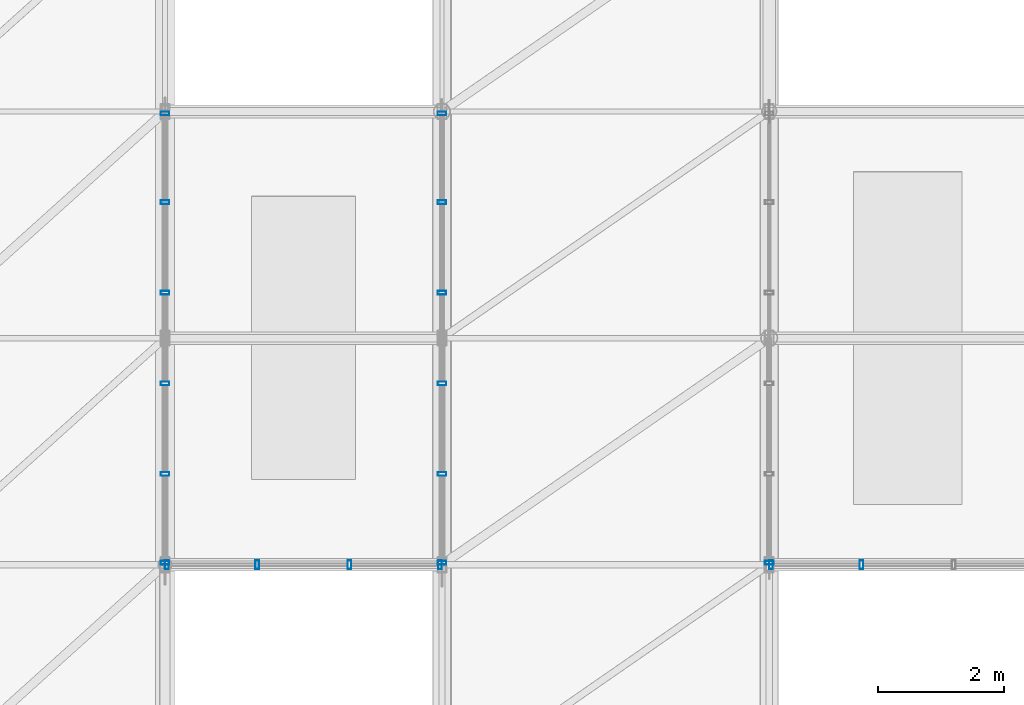
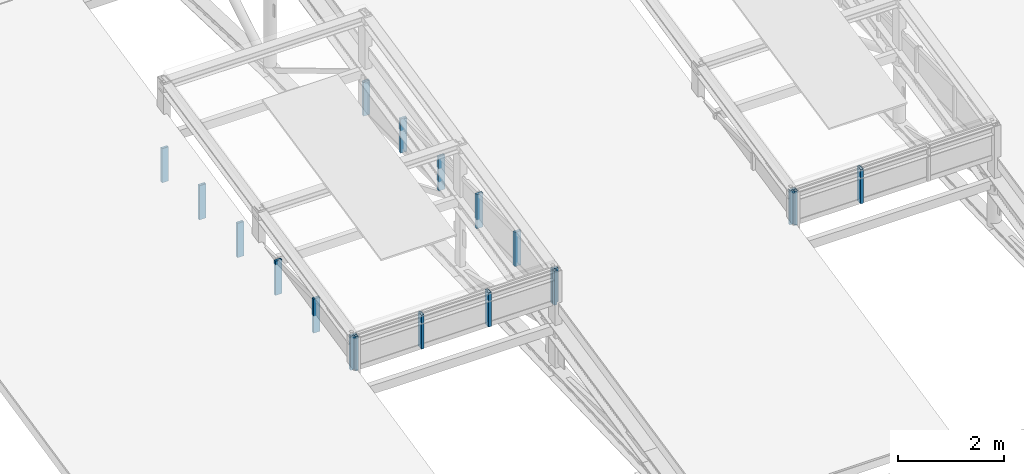
# One storey, part 71 of 124: 19 members, 5 elements without a shape of their own.
"""IFC4 building model written with IfcOpenShell, lengths in metres."""

from ifc_helpers import new_model, si_unit, direction, frame, origin, origin_2d, place, context, subcontext, project, spatial, hollow_rectangle, extrude, material, layer, layer_set, material_profile, profile_set, type_object, element, aggregate, save


model = new_model("IFC4")

# Units and contexts
model_context = context("Model", 3, precision=1e-05, world=origin(), true_north=direction((0.0, 1.0)))
body_context = subcontext(model_context, "Body", "Model", "MODEL_VIEW")
ifc_project = project(units=[si_unit("LENGTHUNIT", "METRE"), si_unit("AREAUNIT", "SQUARE_METRE"), si_unit("VOLUMEUNIT", "CUBIC_METRE"), si_unit("PLANEANGLEUNIT", "RADIAN"), si_unit("MASSUNIT", "GRAM", prefix="KILO"), si_unit("THERMODYNAMICTEMPERATUREUNIT", "KELVIN"), si_unit("POWERUNIT", "WATT")], contexts=[model_context])

# Site, building, storey
site_placement = place(None, origin())
site = spatial("IfcSite", under=ifc_project, at=site_placement, CompositionType="ELEMENT")
building_placement = place(site_placement, origin())
building = spatial("IfcBuilding", under=site, at=building_placement, Name="Tavuni Mirador Residences", CompositionType="ELEMENT")
storey_placement = place(building_placement, frame((0.0, 0.0, 7.64990234375)))
storey = spatial("IfcBuildingStorey", under=building, at=storey_placement, Name="L02", CompositionType="ELEMENT", Elevation=7.64990234375)

# Curtain wall, members
ifc_material = material(Name="Anodised aluminium", Category="aluminium")
ifc_layer = layer(ifc_material, 0.199951171875, Name="Anodised aluminium", Category="aluminium")
ifc_layer_set = layer_set([ifc_layer], Name="Anodised aluminium")
curtain_wall_type = type_object("IfcCurtainWallType", Name="CWT-HAL-01", PredefinedType="NOTDEFINED", material=ifc_layer_set)
curtain_wall_1_placement = place(storey_placement, origin())
curtain_wall_1 = element("IfcCurtainWall", 1, at=curtain_wall_1_placement, inside=storey, type_object=curtain_wall_type, Name="CW-HALL-MON-S1-W", PredefinedType="NOTDEFINED")
ifc_material_profile = material_profile(ifc_material, hollow_rectangle(XDim=0.06005859375, YDim=0.139892578125, WallThickness=0.00390625, at=origin_2d()), Name="ALU 60x140x4.0", Category="aluminium")
ifc_profile_set = profile_set([ifc_material_profile], Name="Anodised aluminium")
member_type = type_object("IfcMemberType", Name="CWM-140", PredefinedType="MULLION", material=ifc_profile_set)
member_1_placement = place(storey_placement, frame((44.800048828125, 75.6298828125, 1.175048828125), z_axis=(0.0, 0.0, 1.0), x_axis=(0.0, 1.0, 0.0)))
member_1 = element("IfcMember", 2, at=member_1_placement, type_object=member_type, Name="CW-06 mullion 1", PredefinedType="MULLION", context=body_context, shape_type="SweptSolid", body=[
    extrude(hollow_rectangle(XDim=0.06005859375, YDim=0.139892578125, WallThickness=0.00390625, at=origin_2d()), origin(), (0.0, 0.0, 1.0), 0.7900390625),
])
member_2_placement = place(storey_placement, frame((44.800048828125, 77.0400390625, 1.175048828125), z_axis=(0.0, 0.0, 1.0), x_axis=(0.0, 1.0, 0.0)))
member_2 = element("IfcMember", 3, at=member_2_placement, type_object=member_type, Name="CW-06 mullion 2", PredefinedType="MULLION", context=body_context, shape_type="SweptSolid", body=[
    extrude(hollow_rectangle(XDim=0.06005859375, YDim=0.139892578125, WallThickness=0.00390625, at=origin_2d()), origin(), (0.0, 0.0, 1.0), 0.7900390625),
])
member_3_placement = place(storey_placement, frame((44.800048828125, 78.47998046875, 1.175048828125), z_axis=(0.0, 0.0, 1.0), x_axis=(0.0, 1.0, 0.0)))
member_3 = element("IfcMember", 4, at=member_3_placement, type_object=member_type, Name="CW-06 mullion 3", PredefinedType="MULLION", context=body_context, shape_type="SweptSolid", body=[
    extrude(hollow_rectangle(XDim=0.06005859375, YDim=0.139892578125, WallThickness=0.00390625, at=origin_2d()), origin(), (0.0, 0.0, 1.0), 0.7900390625),
])
member_4_placement = place(storey_placement, frame((44.800048828125, 79.919921875, 1.175048828125), z_axis=(0.0, 0.0, 1.0), x_axis=(0.0, 1.0, 0.0)))
member_4 = element("IfcMember", 5, at=member_4_placement, type_object=member_type, Name="CW-06 mullion 4", PredefinedType="MULLION", context=body_context, shape_type="SweptSolid", body=[
    extrude(hollow_rectangle(XDim=0.06005859375, YDim=0.139892578125, WallThickness=0.00390625, at=origin_2d()), origin(), (0.0, 0.0, 1.0), 0.7900390625),
])
member_5_placement = place(storey_placement, frame((44.800048828125, 81.360107421875, 1.175048828125), z_axis=(0.0, 0.0, 1.0), x_axis=(0.0, 1.0, 0.0)))
member_5 = element("IfcMember", 6, at=member_5_placement, type_object=member_type, Name="CW-06 mullion 5", PredefinedType="MULLION", context=body_context, shape_type="SweptSolid", body=[
    extrude(hollow_rectangle(XDim=0.06005859375, YDim=0.139892578125, WallThickness=0.00390625, at=origin_2d()), origin(), (0.0, 0.0, 1.0), 0.7900390625),
])
member_6_placement = place(storey_placement, frame((44.800048828125, 82.77001953125, 1.175048828125), z_axis=(0.0, 0.0, 1.0), x_axis=(0.0, 1.0, 0.0)))
member_6 = element("IfcMember", 7, at=member_6_placement, type_object=member_type, Name="CW-06 mullion 6", PredefinedType="MULLION", context=body_context, shape_type="SweptSolid", body=[
    extrude(hollow_rectangle(XDim=0.06005859375, YDim=0.139892578125, WallThickness=0.00390625, at=origin_2d()), origin(), (0.0, 0.0, 1.0), 0.7900390625),
])
aggregate(curtain_wall_1, [member_1, member_2, member_3, member_4, member_5, member_6])

curtain_wall_2_placement = place(storey_placement, origin())
curtain_wall_2 = element("IfcCurtainWall", 8, at=curtain_wall_2_placement, inside=storey, type_object=curtain_wall_type, Name="CW-HALL-MON-S1-E", PredefinedType="NOTDEFINED")
member_7_placement = place(storey_placement, frame((49.199951171875, 75.6298828125, 1.175048828125), z_axis=(0.0, 0.0, 1.0), x_axis=(0.0, 1.0, 0.0)))
member_7 = element("IfcMember", 9, at=member_7_placement, type_object=member_type, Name="CW-06 mullion 1", PredefinedType="MULLION", context=body_context, shape_type="SweptSolid", body=[
    extrude(hollow_rectangle(XDim=0.06005859375, YDim=0.139892578125, WallThickness=0.00390625, at=origin_2d()), origin(), (0.0, 0.0, 1.0), 0.7900390625),
])
member_8_placement = place(storey_placement, frame((49.199951171875, 77.0400390625, 1.175048828125), z_axis=(0.0, 0.0, 1.0), x_axis=(0.0, 1.0, 0.0)))
member_8 = element("IfcMember", 10, at=member_8_placement, type_object=member_type, Name="CW-06 mullion 2", PredefinedType="MULLION", context=body_context, shape_type="SweptSolid", body=[
    extrude(hollow_rectangle(XDim=0.06005859375, YDim=0.139892578125, WallThickness=0.00390625, at=origin_2d()), origin(), (0.0, 0.0, 1.0), 0.7900390625),
])
member_9_placement = place(storey_placement, frame((49.199951171875, 78.47998046875, 1.175048828125), z_axis=(0.0, 0.0, 1.0), x_axis=(0.0, 1.0, 0.0)))
member_9 = element("IfcMember", 11, at=member_9_placement, type_object=member_type, Name="CW-06 mullion 3", PredefinedType="MULLION", context=body_context, shape_type="SweptSolid", body=[
    extrude(hollow_rectangle(XDim=0.06005859375, YDim=0.139892578125, WallThickness=0.00390625, at=origin_2d()), origin(), (0.0, 0.0, 1.0), 0.7900390625),
])
member_10_placement = place(storey_placement, frame((49.199951171875, 79.919921875, 1.175048828125), z_axis=(0.0, 0.0, 1.0), x_axis=(0.0, 1.0, 0.0)))
member_10 = element("IfcMember", 12, at=member_10_placement, type_object=member_type, Name="CW-06 mullion 4", PredefinedType="MULLION", context=body_context, shape_type="SweptSolid", body=[
    extrude(hollow_rectangle(XDim=0.06005859375, YDim=0.139892578125, WallThickness=0.00390625, at=origin_2d()), origin(), (0.0, 0.0, 1.0), 0.7900390625),
])
member_11_placement = place(storey_placement, frame((49.199951171875, 81.360107421875, 1.175048828125), z_axis=(0.0, 0.0, 1.0), x_axis=(0.0, 1.0, 0.0)))
member_11 = element("IfcMember", 13, at=member_11_placement, type_object=member_type, Name="CW-06 mullion 5", PredefinedType="MULLION", context=body_context, shape_type="SweptSolid", body=[
    extrude(hollow_rectangle(XDim=0.06005859375, YDim=0.139892578125, WallThickness=0.00390625, at=origin_2d()), origin(), (0.0, 0.0, 1.0), 0.7900390625),
])
member_12_placement = place(storey_placement, frame((49.199951171875, 82.77001953125, 1.175048828125), z_axis=(0.0, 0.0, 1.0), x_axis=(0.0, 1.0, 0.0)))
member_12 = element("IfcMember", 14, at=member_12_placement, type_object=member_type, Name="CW-06 mullion 6", PredefinedType="MULLION", context=body_context, shape_type="SweptSolid", body=[
    extrude(hollow_rectangle(XDim=0.06005859375, YDim=0.139892578125, WallThickness=0.00390625, at=origin_2d()), origin(), (0.0, 0.0, 1.0), 0.7900390625),
])
aggregate(curtain_wall_2, [member_7, member_8, member_9, member_10, member_11, member_12])

curtain_wall_3_placement = place(storey_placement, origin())
curtain_wall_3 = element("IfcCurtainWall", 15, at=curtain_wall_3_placement, inside=storey, type_object=curtain_wall_type, Name="CW-HALL-MON-S1-END", PredefinedType="NOTDEFINED")
member_13_placement = place(storey_placement, frame((44.830078125, 75.60009765625, 1.175048828125), z_axis=(0.0, 0.0, 1.0), x_axis=(1.0, 0.0, 0.0)))
member_13 = element("IfcMember", 16, at=member_13_placement, type_object=member_type, Name="CW-06 mullion 1", PredefinedType="MULLION", context=body_context, shape_type="SweptSolid", body=[
    extrude(hollow_rectangle(XDim=0.06005859375, YDim=0.139892578125, WallThickness=0.00390625, at=origin_2d()), origin(), (0.0, 0.0, 1.0), 0.7900390625),
])
member_14_placement = place(storey_placement, frame((46.2666015625, 75.60009765625, 1.175048828125), z_axis=(0.0, 0.0, 1.0), x_axis=(1.0, 0.0, 0.0)))
member_14 = element("IfcMember", 17, at=member_14_placement, type_object=member_type, Name="CW-06 mullion 2", PredefinedType="MULLION", context=body_context, shape_type="SweptSolid", body=[
    extrude(hollow_rectangle(XDim=0.06005859375, YDim=0.139892578125, WallThickness=0.00390625, at=origin_2d()), origin(), (0.0, 0.0, 1.0), 0.7900390625),
])
member_15_placement = place(storey_placement, frame((47.7333984375, 75.60009765625, 1.175048828125), z_axis=(0.0, 0.0, 1.0), x_axis=(1.0, 0.0, 0.0)))
member_15 = element("IfcMember", 18, at=member_15_placement, type_object=member_type, Name="CW-06 mullion 3", PredefinedType="MULLION", context=body_context, shape_type="SweptSolid", body=[
    extrude(hollow_rectangle(XDim=0.06005859375, YDim=0.139892578125, WallThickness=0.00390625, at=origin_2d()), origin(), (0.0, 0.0, 1.0), 0.7900390625),
])
member_16_placement = place(storey_placement, frame((49.169921875, 75.60009765625, 1.175048828125), z_axis=(0.0, 0.0, 1.0), x_axis=(1.0, 0.0, 0.0)))
member_16 = element("IfcMember", 19, at=member_16_placement, type_object=member_type, Name="CW-06 mullion 4", PredefinedType="MULLION", context=body_context, shape_type="SweptSolid", body=[
    extrude(hollow_rectangle(XDim=0.06005859375, YDim=0.139892578125, WallThickness=0.00390625, at=origin_2d()), origin(), (0.0, 0.0, 1.0), 0.7900390625),
])
aggregate(curtain_wall_3, [member_13, member_14, member_15, member_16])

# Curtain wall, member
curtain_wall_4_placement = place(storey_placement, origin())
curtain_wall_4 = element("IfcCurtainWall", 20, at=curtain_wall_4_placement, inside=storey, type_object=curtain_wall_type, Name="CW-HALL-MON-S2-W", PredefinedType="NOTDEFINED")
member_17_placement = place(storey_placement, frame((54.39990234375, 75.6298828125, 1.175048828125), z_axis=(0.0, 0.0, 1.0), x_axis=(0.0, 1.0, 0.0)))
member_17 = element("IfcMember", 21, at=member_17_placement, type_object=member_type, Name="CW-06 mullion 1", PredefinedType="MULLION", context=body_context, shape_type="SweptSolid", body=[
    extrude(hollow_rectangle(XDim=0.06005859375, YDim=0.139892578125, WallThickness=0.00390625, at=origin_2d()), origin(), (0.0, 0.0, 1.0), 0.7900390625),
])
aggregate(curtain_wall_4, [member_17])

# Curtain wall, members
curtain_wall_5_placement = place(storey_placement, origin())
curtain_wall_5 = element("IfcCurtainWall", 22, at=curtain_wall_5_placement, inside=storey, type_object=curtain_wall_type, Name="CW-HALL-MON-S2-END", PredefinedType="NOTDEFINED")
member_18_placement = place(storey_placement, frame((54.429931640625, 75.60009765625, 1.175048828125), z_axis=(0.0, 0.0, 1.0), x_axis=(1.0, 0.0, 0.0)))
member_18 = element("IfcMember", 23, at=member_18_placement, type_object=member_type, Name="CW-06 mullion 1", PredefinedType="MULLION", context=body_context, shape_type="SweptSolid", body=[
    extrude(hollow_rectangle(XDim=0.06005859375, YDim=0.139892578125, WallThickness=0.00390625, at=origin_2d()), origin(), (0.0, 0.0, 1.0), 0.7900390625),
])
member_19_placement = place(storey_placement, frame((55.86669921875, 75.60009765625, 1.175048828125), z_axis=(0.0, 0.0, 1.0), x_axis=(1.0, 0.0, 0.0)))
member_19 = element("IfcMember", 24, at=member_19_placement, type_object=member_type, Name="CW-06 mullion 2", PredefinedType="MULLION", context=body_context, shape_type="SweptSolid", body=[
    extrude(hollow_rectangle(XDim=0.06005859375, YDim=0.139892578125, WallThickness=0.00390625, at=origin_2d()), origin(), (0.0, 0.0, 1.0), 0.7900390625),
])
aggregate(curtain_wall_5, [member_18, member_19])

save(model, "model.ifc")
